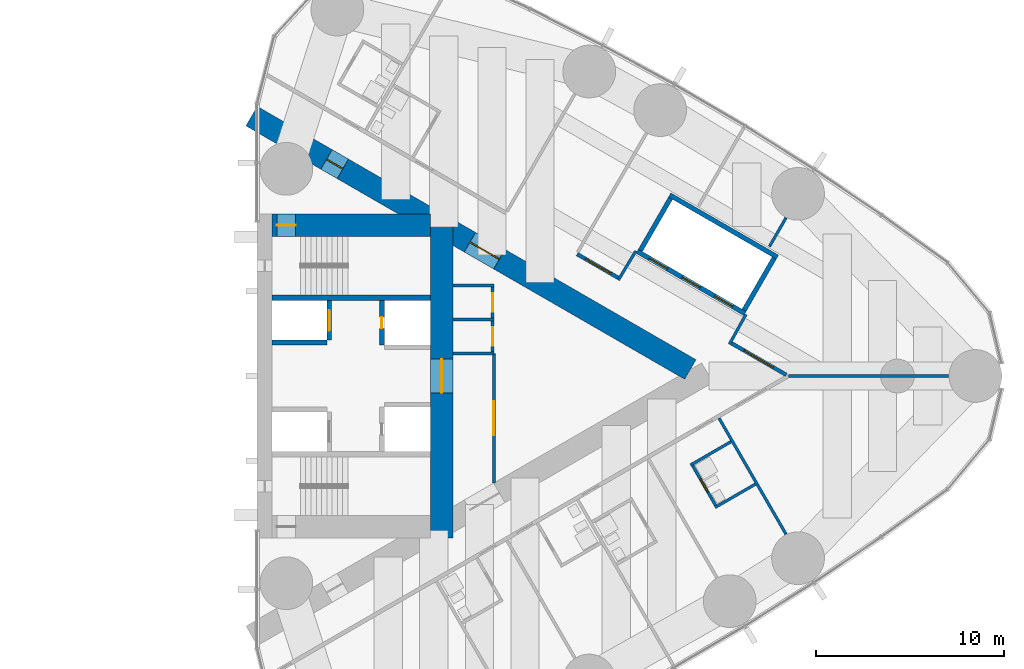
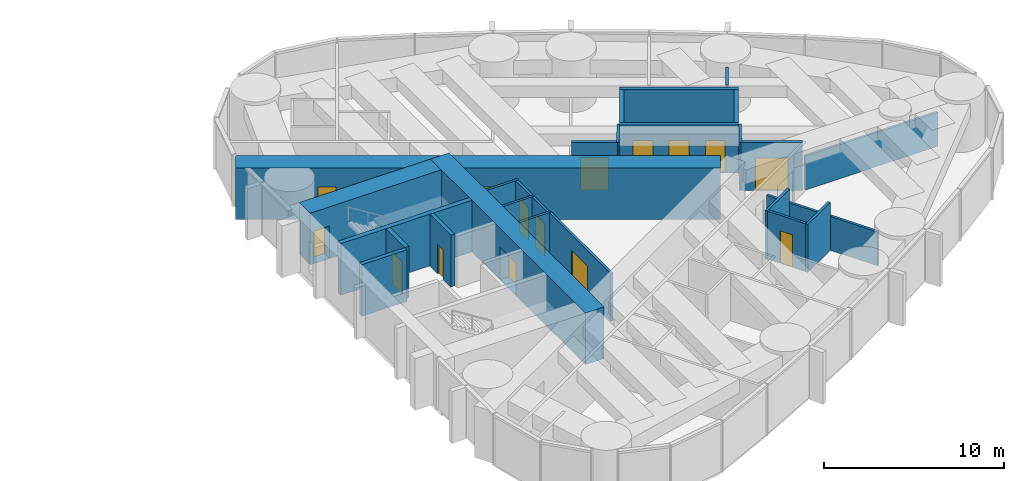
# One storey, part 15 of 19: 27 walls, 15 doors, 15 openings.
"""IFC4 building model written with IfcOpenShell, lengths in metres."""

from ifc_helpers import new_model, si_unit, direction, frame, frame_2d, origin, place, context, subcontext, project, spatial, rectangle, extrude, material, layer, layer_set, type_object, element, fill, save


model = new_model("IFC4")

# Units and contexts
model_context = context("Model", 3, precision=1e-05, world=origin(), true_north=direction((0.0, 1.0)))
body_context = subcontext(model_context, "Body", "Model", "MODEL_VIEW")
ifc_project = project(units=[si_unit("LENGTHUNIT", "METRE"), si_unit("AREAUNIT", "SQUARE_METRE"), si_unit("VOLUMEUNIT", "CUBIC_METRE"), si_unit("PLANEANGLEUNIT", "RADIAN"), si_unit("MASSUNIT", "GRAM", prefix="KILO")], contexts=[model_context])

# Site, building, storey
site_placement = place(None, origin())
site = spatial("IfcSite", under=ifc_project, at=site_placement, CompositionType="ELEMENT")
building_placement = place(site_placement, origin())
building = spatial("IfcBuilding", under=site, at=building_placement, Name="Lancet Gate Hotel", CompositionType="ELEMENT")
storey_placement = place(building_placement, frame((0.0, 0.0, 194.800048828125)))
storey = spatial("IfcBuildingStorey", under=building, at=storey_placement, Name="L52", CompositionType="ELEMENT", Elevation=194.800048828125)

# Wall
ifc_material_1 = material(Name="Moisture resistant board partition")
ifc_layer_1 = layer(ifc_material_1, 0.14990234375)
ifc_layer_set_1 = layer_set([ifc_layer_1], Name="Bathroom wall 150")
wall_type_1 = type_object("IfcWallType", Name="Bathroom wall 150", PredefinedType="PARTITIONING", material=ifc_layer_set_1)
wall_1_placement = place(storey_placement, frame((51.81689453125, -6.9775390625, 0.0), z_axis=(0.0, 0.0, 1.0), x_axis=(0.866006523861, 0.500032699561, 0.0)))
element("IfcWall", 1, at=wall_1_placement, inside=storey, type_object=wall_type_1, Name="T2 bathroom wall 150 L52", PredefinedType="PARTITIONING", context=body_context, shape_type="SweptSolid", body=[
    extrude(rectangle(XDim=2.474853515625, YDim=0.14990234375, at=frame_2d((1.2373046875, 0.0))), origin(), (0.0, 0.0, 1.0), 3.25),
])

# Wall, opening, door
wall_2_placement = place(storey_placement, frame((50.581787109375, -4.688232421875, 0.0), z_axis=(0.0, 0.0, 1.0), x_axis=(0.500006934395, -0.866021400173, 0.0)))
wall_2 = element("IfcWall", 2, at=wall_2_placement, inside=storey, type_object=wall_type_1, Name="T2 bathroom wall 150 L52", PredefinedType="PARTITIONING", context=body_context, shape_type="SweptSolid", body=[
    extrude(rectangle(XDim=2.60009765625, YDim=0.14990234375, at=frame_2d((1.300048828125, 0.0))), origin(), (0.0, 0.0, 1.0), 3.25),
])
opening_1_placement = place(wall_2_placement, frame((0.89990234375, 0.0, 0.0)))
opening_1 = element("IfcOpeningElement", 3, at=opening_1_placement, cuts=wall_2, Name="Opening 5256-B", PredefinedType="OPENING", context=body_context, shape_type="SweptSolid", body=[
    extrude(rectangle(XDim=0.800048828125, YDim=2.199951171875, at=frame_2d((0.39990234375, 1.10009765625))), frame((0.0, 0.0849609375, 0.0), z_axis=(0.0, -1.0, 0.0), x_axis=(1.0, 0.0, 0.0)), (0.0, 0.0, 1.0), 0.169921875),
])
ifc_material_2 = material(Name="Timber door set", Category="wood")
door_type_1 = type_object("IfcDoorType", Name="Bathroom door 800", OperationType="SINGLE_SWING_RIGHT", PredefinedType="DOOR", material=ifc_material_2)
door_1_placement = place(opening_1_placement, origin())
door_1 = element("IfcDoor", 4, at=door_1_placement, inside=storey, type_object=door_type_1, Name="5256-B", OperationType="SINGLE_SWING_RIGHT", OverallHeight=2.199951171875, OverallWidth=0.800048828125, PredefinedType="DOOR", context=body_context, shape_type="SweptSolid", body=[
    extrude(rectangle(XDim=0.800048828125, YDim=2.199951171875, at=frame_2d((0.39990234375, 1.10009765625))), frame((0.0, 0.02490234375, 0.0), z_axis=(0.0, -1.0, 0.0), x_axis=(1.0, 0.0, 0.0)), (0.0, 0.0, 1.0), 0.050048828125),
])
fill(opening_1, door_1)

# Wall
wall_3_placement = place(storey_placement, frame((50.516845703125, -4.725830078125, 0.0), z_axis=(0.0, 0.0, 1.0), x_axis=(0.866031185235, 0.4999899861, 0.0)))
element("IfcWall", 5, at=wall_3_placement, inside=storey, type_object=wall_type_1, Name="T2 bathroom wall 150 L52", PredefinedType="PARTITIONING", context=body_context, shape_type="SweptSolid", body=[
    extrude(rectangle(XDim=2.47509765625, YDim=0.14990234375, at=frame_2d((1.237548828125, 0.0))), origin(), (0.0, 0.0, 1.0), 3.25),
])

# Wall, openings, doors
ifc_material_3 = material(Name="Concrete C70/85", Category="concrete")
ifc_layer_2 = layer(ifc_material_3, 1.199951171875)
ifc_layer_set_2 = layer_set([ifc_layer_2], Name="Buttress wall 1200")
wall_type_2 = type_object("IfcWallType", Name="Buttress wall 1200", PredefinedType="SHEAR", material=ifc_layer_set_2)
wall_4_placement = place(storey_placement, frame((27.199951171875, 13.800048828125, 0.0), z_axis=(0.0, 0.0, 1.0), x_axis=(0.866024515034, -0.500001539357, 0.0)))
wall_4 = element("IfcWall", 6, at=wall_4_placement, inside=storey, type_object=wall_type_2, Name="T2 buttress wall N L52", PredefinedType="SHEAR", context=body_context, shape_type="SweptSolid", body=[
    extrude(rectangle(XDim=26.9072265625, YDim=1.199951171875, at=frame_2d((13.45361328125, 0.0))), origin(), (0.0, 0.0, 1.0), 3.5),
])
opening_2_placement = place(wall_4_placement, frame((4.60009765625, 0.0, 0.0)))
opening_2 = element("IfcOpeningElement", 7, at=opening_2_placement, cuts=wall_4, Name="Opening T2-L52-LN", PredefinedType="OPENING", context=body_context, shape_type="SweptSolid", body=[
    extrude(rectangle(XDim=1.0, YDim=2.199951171875, at=frame_2d((0.5, 1.10009765625))), frame((0.0, 0.60986328125, 0.0), z_axis=(0.0, -1.0, 0.0), x_axis=(1.0, 0.0, 0.0)), (0.0, 0.0, 1.0), 1.219970703125),
])
opening_3_placement = place(wall_4_placement, frame((13.39453125, 0.0, 0.0)))
opening_3 = element("IfcOpeningElement", 8, at=opening_3_placement, cuts=wall_4, Name="Opening T2-L52-LHN", PredefinedType="OPENING", context=body_context, shape_type="SweptSolid", body=[
    extrude(rectangle(XDim=1.800048828125, YDim=2.199951171875, at=frame_2d((0.89990234375, 1.10009765625))), frame((0.0, 0.60986328125, 0.0), z_axis=(0.0, -1.0, 0.0), x_axis=(1.0, 0.0, 0.0)), (0.0, 0.0, 1.0), 1.219970703125),
])
ifc_material_4 = material(Name="Timber door set", Category="wood")
door_type_2 = type_object("IfcDoorType", Name="Lobby double door 1800", OperationType="DOUBLE_DOOR_SINGLE_SWING", PredefinedType="DOOR", material=ifc_material_4)
door_2_placement = place(opening_3_placement, origin())
door_2 = element("IfcDoor", 9, at=door_2_placement, inside=storey, type_object=door_type_2, Name="T2-L52-LHN", OperationType="DOUBLE_DOOR_SINGLE_SWING", OverallHeight=2.199951171875, OverallWidth=1.800048828125, PredefinedType="DOOR", context=body_context, shape_type="SweptSolid", body=[
    extrude(rectangle(XDim=1.800048828125, YDim=2.199951171875, at=frame_2d((0.89990234375, 1.10009765625))), frame((0.0, 0.02490234375, 0.0), z_axis=(0.0, -1.0, 0.0), x_axis=(1.0, 0.0, 0.0)), (0.0, 0.0, 1.0), 0.050048828125),
])
fill(opening_3, door_2)
ifc_material_5 = material(Name="Timber door set", Category="wood")
door_type_3 = type_object("IfcDoorType", Name="Stair lobby door 1000", OperationType="SINGLE_SWING_LEFT", PredefinedType="DOOR", material=ifc_material_5)
door_3_placement = place(opening_2_placement, origin())
door_3 = element("IfcDoor", 10, at=door_3_placement, inside=storey, type_object=door_type_3, Name="T2-L52-LN", OperationType="SINGLE_SWING_LEFT", OverallHeight=2.199951171875, OverallWidth=1.0, PredefinedType="DOOR", context=body_context, shape_type="SweptSolid", body=[
    extrude(rectangle(XDim=1.0, YDim=2.199951171875, at=frame_2d((0.5, 1.10009765625))), frame((0.0, 0.02490234375, 0.0), z_axis=(0.0, -1.0, 0.0), x_axis=(1.0, 0.0, 0.0)), (0.0, 0.0, 1.0), 0.050048828125),
])
fill(opening_2, door_3)

# Wall, opening, door
ifc_material_6 = material(Name="Concrete C70/85", Category="concrete")
ifc_layer_3 = layer(ifc_material_6, 1.199951171875)
ifc_layer_set_3 = layer_set([ifc_layer_3], Name="Core wall 1200")
wall_type_3 = type_object("IfcWallType", Name="Core wall 1200", PredefinedType="SHEAR", material=ifc_layer_set_3)
wall_5_placement = place(storey_placement, frame((37.300048828125, -8.60009765625, 0.0), z_axis=(0.0, 0.0, 1.0), x_axis=(0.0, 1.0, 0.0)))
wall_5 = element("IfcWall", 11, at=wall_5_placement, inside=storey, type_object=wall_type_3, Name="T2 core wall back L52", PredefinedType="SHEAR", context=body_context, shape_type="SweptSolid", body=[
    extrude(rectangle(XDim=17.2001953125, YDim=1.199951171875, at=frame_2d((8.60009765625, 0.0))), origin(), (0.0, 0.0, 1.0), 3.5),
])
opening_4_placement = place(wall_5_placement, frame((7.699951171875, 0.0, 0.0)))
opening_4 = element("IfcOpeningElement", 12, at=opening_4_placement, cuts=wall_5, Name="Opening T2-L52-LL", PredefinedType="OPENING", context=body_context, shape_type="SweptSolid", body=[
    extrude(rectangle(XDim=1.800048828125, YDim=2.199951171875, at=frame_2d((0.89990234375, 1.10009765625))), frame((0.0, 0.60986328125, 0.0), z_axis=(0.0, -1.0, 0.0), x_axis=(1.0, 0.0, 0.0)), (0.0, 0.0, 1.0), 1.219970703125),
])
door_4_placement = place(opening_4_placement, origin())
door_4 = element("IfcDoor", 13, at=door_4_placement, inside=storey, type_object=door_type_2, Name="T2-L52-LL", OperationType="DOUBLE_DOOR_SINGLE_SWING", OverallHeight=2.199951171875, OverallWidth=1.800048828125, PredefinedType="DOOR", context=body_context, shape_type="SweptSolid", body=[
    extrude(rectangle(XDim=1.800048828125, YDim=2.199951171875, at=frame_2d((0.89990234375, 1.10009765625))), frame((0.0, 0.02490234375, 0.0), z_axis=(0.0, -1.0, 0.0), x_axis=(1.0, 0.0, 0.0)), (0.0, 0.0, 1.0), 0.050048828125),
])
fill(opening_4, door_4)

wall_6_placement = place(storey_placement, frame((28.300048828125, 8.0, 0.0), z_axis=(0.0, 0.0, 1.0), x_axis=(1.0, 0.0, 0.0)))
wall_6 = element("IfcWall", 14, at=wall_6_placement, inside=storey, type_object=wall_type_3, Name="T2 core wall side-N L52", PredefinedType="SHEAR", context=body_context, shape_type="SweptSolid", body=[
    extrude(rectangle(XDim=8.39990234375, YDim=1.199951171875, at=frame_2d((4.199951171875, 0.0))), origin(), (0.0, 0.0, 1.0), 3.5),
])
opening_5_placement = place(wall_6_placement, frame((0.25, 0.0, 0.0)))
opening_5 = element("IfcOpeningElement", 15, at=opening_5_placement, cuts=wall_6, Name="Opening T2-L52-ST2", PredefinedType="OPENING", context=body_context, shape_type="SweptSolid", body=[
    extrude(rectangle(XDim=1.0, YDim=2.199951171875, at=frame_2d((0.5, 1.10009765625))), frame((0.0, 0.60986328125, 0.0), z_axis=(0.0, -1.0, 0.0), x_axis=(1.0, 0.0, 0.0)), (0.0, 0.0, 1.0), 1.219970703125),
])
ifc_material_7 = material(Name="Timber door set", Category="wood")
door_type_4 = type_object("IfcDoorType", Name="Stair door 1000", OperationType="SINGLE_SWING_RIGHT", PredefinedType="DOOR", material=ifc_material_7)
door_5_placement = place(opening_5_placement, origin())
door_5 = element("IfcDoor", 16, at=door_5_placement, inside=storey, type_object=door_type_4, Name="T2-L52-ST2", OperationType="SINGLE_SWING_RIGHT", OverallHeight=2.199951171875, OverallWidth=1.0, PredefinedType="DOOR", context=body_context, shape_type="SweptSolid", body=[
    extrude(rectangle(XDim=1.0, YDim=2.199951171875, at=frame_2d((0.5, 1.10009765625))), frame((0.0, 0.02490234375, 0.0), z_axis=(0.0, -1.0, 0.0), x_axis=(1.0, 0.0, 0.0)), (0.0, 0.0, 1.0), 0.050048828125),
])
fill(opening_5, door_5)

ifc_material_8 = material(Name="Gypsum board partition")
ifc_layer_4 = layer(ifc_material_8, 0.199951171875)
ifc_layer_set_4 = layer_set([ifc_layer_4], Name="Corridor wall 200")
wall_type_4 = type_object("IfcWallType", Name="Corridor wall 200", PredefinedType="PARTITIONING", material=ifc_layer_set_4)
wall_7_placement = place(storey_placement, frame((52.63916015625, 1.7685546875, 0.0), z_axis=(0.0, 0.0, 1.0), x_axis=(0.866027340901, -0.4999966448, 0.0)))
wall_7 = element("IfcWall", 17, at=wall_7_placement, inside=storey, type_object=wall_type_4, Name="T2 corridor wall 200 L52", PredefinedType="PARTITIONING", context=body_context, shape_type="SweptSolid", body=[
    extrude(rectangle(XDim=3.4169921875, YDim=0.199951171875, at=frame_2d((1.70849609375, 0.0))), origin(), (0.0, 0.0, 1.0), 3.25),
])
opening_6_placement = place(wall_7_placement, frame((0.80859375, 0.0, 0.0)))
opening_6 = element("IfcOpeningElement", 18, at=opening_6_placement, cuts=wall_7, Name="Opening T2-L52-LO1", PredefinedType="OPENING", context=body_context, shape_type="SweptSolid", body=[
    extrude(rectangle(XDim=1.800048828125, YDim=2.199951171875, at=frame_2d((0.89990234375, 1.10009765625))), frame((0.0, 0.10986328125, 0.0), z_axis=(0.0, -1.0, 0.0), x_axis=(1.0, 0.0, 0.0)), (0.0, 0.0, 1.0), 0.219970703125),
])
ifc_material_9 = material(Name="Timber door set", Category="wood")
door_type_5 = type_object("IfcDoorType", Name="Double door 1800", OperationType="DOUBLE_DOOR_SINGLE_SWING", PredefinedType="DOOR", material=ifc_material_9)
door_6_placement = place(opening_6_placement, origin())
door_6 = element("IfcDoor", 19, at=door_6_placement, inside=storey, type_object=door_type_5, Name="T2-L52-LO1", OperationType="DOUBLE_DOOR_SINGLE_SWING", OverallHeight=2.199951171875, OverallWidth=1.800048828125, PredefinedType="DOOR", context=body_context, shape_type="SweptSolid", body=[
    extrude(rectangle(XDim=1.800048828125, YDim=2.199951171875, at=frame_2d((0.89990234375, 1.10009765625))), frame((0.0, 0.02490234375, 0.0), z_axis=(0.0, -1.0, 0.0), x_axis=(1.0, 0.0, 0.0)), (0.0, 0.0, 1.0), 0.050048828125),
])
fill(opening_6, door_6)

wall_8_placement = place(storey_placement, frame((44.4931640625, 6.4716796875, 0.0), z_axis=(0.0, 0.0, 1.0), x_axis=(0.866027140358, -0.499996992154, 0.0)))
wall_8 = element("IfcWall", 20, at=wall_8_placement, inside=storey, type_object=wall_type_4, Name="T2 corridor wall 200 L52", PredefinedType="PARTITIONING", context=body_context, shape_type="SweptSolid", body=[
    extrude(rectangle(XDim=2.56591796875, YDim=0.199951171875, at=frame_2d((1.282958984375, 0.0))), origin(), (0.0, 0.0, 1.0), 3.25),
])
opening_7_placement = place(wall_8_placement, frame((0.5, 0.0, 0.0)))
opening_7 = element("IfcOpeningElement", 21, at=opening_7_placement, cuts=wall_8, Name="Opening T2-L52-LO2", PredefinedType="OPENING", context=body_context, shape_type="SweptSolid", body=[
    extrude(rectangle(XDim=1.56591796875, YDim=2.199951171875, at=frame_2d((0.782958984375, 1.10009765625))), frame((0.0, 0.10986328125, 0.0), z_axis=(0.0, -1.0, 0.0), x_axis=(1.0, 0.0, 0.0)), (0.0, 0.0, 1.0), 0.219970703125),
])
ifc_material_10 = material(Name="Timber door set", Category="wood")
door_type_6 = type_object("IfcDoorType", Name="Guest room entry door 950", OperationType="SINGLE_SWING_LEFT", PredefinedType="DOOR", material=ifc_material_10)
door_7_placement = place(opening_7_placement, origin())
door_7 = element("IfcDoor", 22, at=door_7_placement, inside=storey, type_object=door_type_6, Name="T2-L52-LO2", OperationType="SINGLE_SWING_LEFT", OverallHeight=2.199951171875, OverallWidth=1.56591796875, PredefinedType="DOOR", context=body_context, shape_type="SweptSolid", body=[
    extrude(rectangle(XDim=1.56591796875, YDim=2.199951171875, at=frame_2d((0.782958984375, 1.10009765625))), frame((0.0, 0.02490234375, 0.0), z_axis=(0.0, -1.0, 0.0), x_axis=(1.0, 0.0, 0.0)), (0.0, 0.0, 1.0), 0.050048828125),
])
fill(opening_7, door_7)

# Wall, openings, doors
ifc_material_11 = material(Name="Gypsum board partition")
ifc_layer_5 = layer(ifc_material_11, 0.25)
ifc_layer_set_5 = layer_set([ifc_layer_5], Name="Lift shaft partition 250")
wall_type_5 = type_object("IfcWallType", Name="Lift shaft partition 250", PredefinedType="PARTITIONING", material=ifc_layer_set_5)
wall_9_placement = place(storey_placement, frame((47.681396484375, 6.622314453125, 0.0), z_axis=(0.0, 0.0, 1.0), x_axis=(0.86603344179, -0.499986077507, 0.0)))
wall_9 = element("IfcWall", 23, at=wall_9_placement, inside=storey, type_object=wall_type_5, Name="T2 lift shaft wall HL L52", PredefinedType="PARTITIONING", context=body_context, shape_type="SweptSolid", body=[
    extrude(rectangle(XDim=6.600341796875, YDim=0.25, at=frame_2d((3.30029296875, 0.0))), origin(), (0.0, 0.0, 1.0), 3.25),
])
opening_8_placement = place(wall_9_placement, frame((0.75, 0.0, 0.0)))
opening_8 = element("IfcOpeningElement", 24, at=opening_8_placement, cuts=wall_9, Name="Opening T2-HL1-L52", PredefinedType="OPENING", context=body_context, shape_type="SweptSolid", body=[
    extrude(rectangle(XDim=1.10009765625, YDim=2.199951171875, at=frame_2d((0.550048828125, 1.10009765625))), frame((0.0, 0.135009765625, 0.0), z_axis=(0.0, -1.0, 0.0), x_axis=(1.0, 0.0, 0.0)), (0.0, 0.0, 1.0), 0.27001953125),
])
opening_9_placement = place(wall_9_placement, frame((2.75, 0.0, 0.0)))
opening_9 = element("IfcOpeningElement", 25, at=opening_9_placement, cuts=wall_9, Name="Opening T2-HL2-L52", PredefinedType="OPENING", context=body_context, shape_type="SweptSolid", body=[
    extrude(rectangle(XDim=1.10009765625, YDim=2.199951171875, at=frame_2d((0.550048828125, 1.10009765625))), frame((0.0, 0.135009765625, 0.0), z_axis=(0.0, -1.0, 0.0), x_axis=(1.0, 0.0, 0.0)), (0.0, 0.0, 1.0), 0.27001953125),
])
opening_10_placement = place(wall_9_placement, frame((4.75, 0.0, 0.0)))
opening_10 = element("IfcOpeningElement", 26, at=opening_10_placement, cuts=wall_9, Name="Opening T2-HL3-L52", PredefinedType="OPENING", context=body_context, shape_type="SweptSolid", body=[
    extrude(rectangle(XDim=1.10009765625, YDim=2.199951171875, at=frame_2d((0.550048828125, 1.10009765625))), frame((0.0, 0.135009765625, 0.0), z_axis=(0.0, -1.0, 0.0), x_axis=(1.0, 0.0, 0.0)), (0.0, 0.0, 1.0), 0.27001953125),
])
ifc_material_12 = material(Name="Steel door set", Category="steel")
door_type_7 = type_object("IfcDoorType", Name="Lift landing door 1100", OperationType="DOUBLE_DOOR_SLIDING", PredefinedType="USERDEFINED", material=ifc_material_12)
door_8_placement = place(opening_8_placement, origin())
door_8 = element("IfcDoor", 27, at=door_8_placement, inside=storey, type_object=door_type_7, Name="T2-HL1-L52", ObjectType="LIFT LANDING DOOR", OperationType="DOUBLE_DOOR_SLIDING", OverallHeight=2.199951171875, OverallWidth=1.10009765625, PredefinedType="USERDEFINED", context=body_context, shape_type="SweptSolid", body=[
    extrude(rectangle(XDim=1.10009765625, YDim=2.199951171875, at=frame_2d((0.550048828125, 1.10009765625))), frame((0.0, 0.02490234375, 0.0), z_axis=(0.0, -1.0, 0.0), x_axis=(1.0, 0.0, 0.0)), (0.0, 0.0, 1.0), 0.050048828125),
])
fill(opening_8, door_8)
door_9_placement = place(opening_9_placement, origin())
door_9 = element("IfcDoor", 28, at=door_9_placement, inside=storey, type_object=door_type_7, Name="T2-HL2-L52", ObjectType="LIFT LANDING DOOR", OperationType="DOUBLE_DOOR_SLIDING", OverallHeight=2.199951171875, OverallWidth=1.10009765625, PredefinedType="USERDEFINED", context=body_context, shape_type="SweptSolid", body=[
    extrude(rectangle(XDim=1.10009765625, YDim=2.199951171875, at=frame_2d((0.550048828125, 1.10009765625))), frame((0.0, 0.02490234375, 0.0), z_axis=(0.0, -1.0, 0.0), x_axis=(1.0, 0.0, 0.0)), (0.0, 0.0, 1.0), 0.050048828125),
])
fill(opening_9, door_9)
door_10_placement = place(opening_10_placement, origin())
door_10 = element("IfcDoor", 29, at=door_10_placement, inside=storey, type_object=door_type_7, Name="T2-HL3-L52", ObjectType="LIFT LANDING DOOR", OperationType="DOUBLE_DOOR_SLIDING", OverallHeight=2.199951171875, OverallWidth=1.10009765625, PredefinedType="USERDEFINED", context=body_context, shape_type="SweptSolid", body=[
    extrude(rectangle(XDim=1.10009765625, YDim=2.199951171875, at=frame_2d((0.550048828125, 1.10009765625))), frame((0.0, 0.02490234375, 0.0), z_axis=(0.0, -1.0, 0.0), x_axis=(1.0, 0.0, 0.0)), (0.0, 0.0, 1.0), 0.050048828125),
])
fill(opening_10, door_10)

# Walls
wall_10_placement = place(storey_placement, frame((49.406494140625, 9.61083984375, 0.0), z_axis=(0.0, 0.0, 1.0), x_axis=(0.86603344179, -0.499986077507, 0.0)))
element("IfcWall", 30, at=wall_10_placement, inside=storey, type_object=wall_type_5, Name="T2 lift shaft wall HL L52", PredefinedType="PARTITIONING", context=body_context, shape_type="SweptSolid", body=[
    extrude(rectangle(XDim=6.600341796875, YDim=0.25, at=frame_2d((3.30029296875, 0.0))), origin(), (0.0, 0.0, 1.0), 3.25),
])
wall_11_placement = place(storey_placement, frame((47.852294921875, 6.66796875, 0.0), z_axis=(0.0, 0.0, 1.0), x_axis=(0.499929347863, 0.866066190972, 0.0)))
element("IfcWall", 31, at=wall_11_placement, inside=storey, type_object=wall_type_5, Name="T2 lift shaft wall HL L52", PredefinedType="PARTITIONING", context=body_context, shape_type="SweptSolid", body=[
    extrude(rectangle(XDim=3.20068359375, YDim=0.25, at=frame_2d((1.600341796875, 0.0))), origin(), (0.0, 0.0, 1.0), 3.25),
])
wall_12_placement = place(storey_placement, frame((53.351806640625, 3.492919921875, 0.0), z_axis=(0.0, 0.0, 1.0), x_axis=(0.499872130319, 0.866099216793, 0.0)))
element("IfcWall", 32, at=wall_12_placement, inside=storey, type_object=wall_type_5, Name="T2 lift shaft wall HL L52", PredefinedType="PARTITIONING", context=body_context, shape_type="SweptSolid", body=[
    extrude(rectangle(XDim=3.200439453125, YDim=0.25, at=frame_2d((1.60009765625, 0.0))), origin(), (0.0, 0.0, 1.0), 3.25),
])

# Wall, opening, door
ifc_material_13 = material(Name="Concrete C50/60", Category="concrete")
ifc_layer_6 = layer(ifc_material_13, 0.25)
ifc_layer_set_6 = layer_set([ifc_layer_6], Name="Lift shaft wall 250")
wall_type_6 = type_object("IfcWallType", Name="Lift shaft wall 250", PredefinedType="SHEAR", material=ifc_layer_set_6)
wall_13_placement = place(storey_placement, frame((31.324951171875, 1.89990234375, 0.0), z_axis=(0.0, 0.0, 1.0), x_axis=(0.0, 1.0, 0.0)))
wall_13 = element("IfcWall", 33, at=wall_13_placement, inside=storey, type_object=wall_type_6, Name="T2 core wall row1-N L52", PredefinedType="SHEAR", context=body_context, shape_type="SweptSolid", body=[
    extrude(rectangle(XDim=2.10009765625, YDim=0.25, at=frame_2d((1.050048828125, 0.0))), origin(), (0.0, 0.0, 1.0), 3.5),
])
opening_11_placement = place(wall_13_placement, frame((0.5, 0.0, 0.0)))
opening_11 = element("IfcOpeningElement", 34, at=opening_11_placement, cuts=wall_13, Name="Opening T2-FL2-L52", PredefinedType="OPENING", context=body_context, shape_type="SweptSolid", body=[
    extrude(rectangle(XDim=1.10009765625, YDim=2.199951171875, at=frame_2d((0.550048828125, 1.10009765625))), frame((0.0, 0.135009765625, 0.0), z_axis=(0.0, -1.0, 0.0), x_axis=(1.0, 0.0, 0.0)), (0.0, 0.0, 1.0), 0.27001953125),
])
ifc_material_14 = material(Name="Steel door set", Category="steel")
door_type_8 = type_object("IfcDoorType", Name="Firefighting lift landing door 1100", OperationType="SLIDING_TO_LEFT", PredefinedType="USERDEFINED", material=ifc_material_14)
door_11_placement = place(opening_11_placement, origin())
door_11 = element("IfcDoor", 35, at=door_11_placement, inside=storey, type_object=door_type_8, Name="T2-FL2-L52", ObjectType="LIFT LANDING DOOR", OperationType="SLIDING_TO_LEFT", OverallHeight=2.199951171875, OverallWidth=1.10009765625, PredefinedType="USERDEFINED", context=body_context, shape_type="SweptSolid", body=[
    extrude(rectangle(XDim=1.10009765625, YDim=2.199951171875, at=frame_2d((0.550048828125, 1.10009765625))), frame((0.0, 0.02490234375, 0.0), z_axis=(0.0, -1.0, 0.0), x_axis=(1.0, 0.0, 0.0)), (0.0, 0.0, 1.0), 0.050048828125),
])
fill(opening_11, door_11)

wall_14_placement = place(storey_placement, frame((34.125, 1.64990234375, 0.0), z_axis=(0.0, 0.0, 1.0), x_axis=(0.0, 1.0, 0.0)))
wall_14 = element("IfcWall", 36, at=wall_14_placement, inside=storey, type_object=wall_type_6, Name="T2 core wall row2-N L52", PredefinedType="SHEAR", context=body_context, shape_type="SweptSolid", body=[
    extrude(rectangle(XDim=2.35009765625, YDim=0.25, at=frame_2d((1.175048828125, 0.0))), origin(), (0.0, 0.0, 1.0), 3.5),
])
opening_12_placement = place(wall_14_placement, frame((0.875, 0.0, 0.0)))
opening_12 = element("IfcOpeningElement", 37, at=opening_12_placement, cuts=wall_14, Name="Opening T2-OL4-L52-E", PredefinedType="OPENING", context=body_context, shape_type="SweptSolid", body=[
    extrude(rectangle(XDim=0.60009765625, YDim=2.0, at=frame_2d((0.300048828125, 1.0))), frame((0.0, 0.135009765625, 0.0), z_axis=(0.0, -1.0, 0.0), x_axis=(1.0, 0.0, 0.0)), (0.0, 0.0, 1.0), 0.27001953125),
])
ifc_material_15 = material(Name="Steel door set", Category="steel")
door_type_9 = type_object("IfcDoorType", Name="Lift shaft emergency door 600x2000", OperationType="SLIDING_TO_LEFT", PredefinedType="DOOR", material=ifc_material_15)
door_12_placement = place(opening_12_placement, origin())
door_12 = element("IfcDoor", 38, at=door_12_placement, inside=storey, type_object=door_type_9, Name="T2-OL4-L52-E", OperationType="SLIDING_TO_LEFT", OverallHeight=2.0, OverallWidth=0.60009765625, PredefinedType="DOOR", context=body_context, shape_type="SweptSolid", body=[
    extrude(rectangle(XDim=0.60009765625, YDim=2.0, at=frame_2d((0.300048828125, 1.0))), frame((0.0, 0.02490234375, 0.0), z_axis=(0.0, -1.0, 0.0), x_axis=(1.0, 0.0, 0.0)), (0.0, 0.0, 1.0), 0.050048828125),
])
fill(opening_12, door_12)

# Walls
wall_15_placement = place(storey_placement, frame((28.300048828125, 1.77490234375, 0.0), z_axis=(0.0, 0.0, 1.0), x_axis=(1.0, 0.0, 0.0)))
element("IfcWall", 39, at=wall_15_placement, inside=storey, type_object=wall_type_6, Name="T2 core wall pass1-N L52", PredefinedType="SHEAR", context=body_context, shape_type="SweptSolid", body=[
    extrude(rectangle(XDim=2.89990234375, YDim=0.25, at=frame_2d((1.449951171875, 0.0))), origin(), (0.0, 0.0, 1.0), 3.5),
])
ifc_material_16 = material(Name="Gypsum board partition")
ifc_layer_7 = layer(ifc_material_16, 0.14990234375)
ifc_layer_set_7 = layer_set([ifc_layer_7], Name="Party wall 150")
wall_type_7 = type_object("IfcWallType", Name="Party wall 150", PredefinedType="PARTITIONING", material=ifc_layer_set_7)
wall_16_placement = place(storey_placement, frame((52.025390625, -2.23828125, 0.0), z_axis=(0.0, 0.0, 1.0), x_axis=(0.499983785035, -0.866034765296, 0.0)))
element("IfcWall", 40, at=wall_16_placement, inside=storey, type_object=wall_type_7, Name="T2 party wall 150 L52", PredefinedType="PARTITIONING", context=body_context, shape_type="SweptSolid", body=[
    extrude(rectangle(XDim=7.116455078125, YDim=0.14990234375, at=frame_2d((3.55810546875, 0.0))), origin(), (0.0, 0.0, 1.0), 2.300048828125),
])
wall_17_placement = place(storey_placement, frame((55.7021484375, 0.0, 0.0), z_axis=(0.0, 0.0, 1.0), x_axis=(1.0, 0.0, 0.0)))
element("IfcWall", 41, at=wall_17_placement, inside=storey, type_object=wall_type_7, Name="T2 party wall 150 L52", PredefinedType="PARTITIONING", context=body_context, shape_type="SweptSolid", body=[
    extrude(rectangle(XDim=8.517578125, YDim=0.14990234375, at=frame_2d((4.2587890625, 0.0))), origin(), (0.0, 0.0, 1.0), 2.300048828125),
])
wall_18_placement = place(storey_placement, frame((54.700439453125, 6.871826171875, 0.0), z_axis=(0.0, 0.0, 1.0), x_axis=(0.499989690894, 0.866031355668, 0.0)))
element("IfcWall", 42, at=wall_18_placement, inside=storey, type_object=wall_type_7, Name="T2 party wall 150 L52", PredefinedType="PARTITIONING", context=body_context, shape_type="SweptSolid", body=[
    extrude(rectangle(XDim=1.76611328125, YDim=0.14990234375, at=frame_2d((0.883056640625, 0.0))), origin(), (0.0, 0.0, 1.0), 3.25),
])
ifc_material_17 = material(Name="Gypsum board partition")
ifc_layer_8 = layer(ifc_material_17, 0.14990234375)
ifc_layer_set_8 = layer_set([ifc_layer_8], Name="Service room wall 150")
wall_type_8 = type_object("IfcWallType", Name="Service room wall 150", PredefinedType="PARTITIONING", material=ifc_layer_set_8)
for number, where, z_axis, x_axis, name in (
    (43, (52.576171875, 1.689453125, 0.0), (0.0, 0.0, 1.0), (0.485482130951, 0.874246590229, 0.0), "T2 service room wall 150 L52"),
    (44, (47.6064453125, 6.642578125, 0.0), (0.0, 0.0, 1.0), (-0.514237157483, -0.857648031458, 0.0), "T2 service room wall 150 L52"),
):
    element("IfcWall", number, at=place(storey_placement, frame(where, z_axis=z_axis, x_axis=x_axis)), inside=storey, type_object=wall_type_8, Name=name, PredefinedType="PARTITIONING", context=body_context, shape_type="SweptSolid", body=[
        extrude(rectangle(XDim=1.804931640625, YDim=0.14990234375, at=frame_2d((0.90234375, 0.0))), origin(), (0.0, 0.0, 1.0), 3.25),
    ])
for number, where, z_axis, x_axis, name in (
    (45, (37.89990234375, 1.199951171875, 0.0), (0.0, 0.0, 1.0), (1.0, 0.0, 0.0), "T2 service room wall 150 L52"),
    (46, (37.89990234375, 3.0, 0.0), (0.0, 0.0, 1.0), (1.0, 0.0, 0.0), "T2 service room wall 150 L52"),
    (47, (37.89990234375, 4.800048828125, 0.0), (0.0, 0.0, 1.0), (1.0, 0.0, 0.0), "T2 service room wall 150 L52"),
):
    element("IfcWall", number, at=place(storey_placement, frame(where, z_axis=z_axis, x_axis=x_axis)), inside=storey, type_object=wall_type_8, Name=name, PredefinedType="PARTITIONING", context=body_context, shape_type="SweptSolid", body=[
        extrude(rectangle(XDim=2.175048828125, YDim=0.14990234375, at=frame_2d((1.08740234375, 0.0))), origin(), (0.0, 0.0, 1.0), 3.25),
    ])

# Wall, opening, door
wall_19_placement = place(storey_placement, frame((40.0, 1.125, 0.0), z_axis=(0.0, 0.0, 1.0), x_axis=(0.0, 1.0, 0.0)))
wall_19 = element("IfcWall", 48, at=wall_19_placement, inside=storey, type_object=wall_type_8, Name="T2 service room wall 150 L52", PredefinedType="PARTITIONING", context=body_context, shape_type="SweptSolid", body=[
    extrude(rectangle(XDim=1.949951171875, YDim=0.14990234375, at=frame_2d((0.97509765625, 0.0))), origin(), (0.0, 0.0, 1.0), 3.25),
])
opening_13_placement = place(wall_19_placement, frame((0.47509765625, 0.0, 0.0)))
opening_13 = element("IfcOpeningElement", 49, at=opening_13_placement, cuts=wall_19, Name="Opening T2-L52-HRN0", PredefinedType="OPENING", context=body_context, shape_type="SweptSolid", body=[
    extrude(rectangle(XDim=1.0, YDim=2.199951171875, at=frame_2d((0.5, 1.10009765625))), frame((0.0, 0.0849609375, 0.0), z_axis=(0.0, -1.0, 0.0), x_axis=(1.0, 0.0, 0.0)), (0.0, 0.0, 1.0), 0.169921875),
])
ifc_material_18 = material(Name="Timber door set", Category="wood")
door_type_10 = type_object("IfcDoorType", Name="Service door 1000", OperationType="SINGLE_SWING_LEFT", PredefinedType="DOOR", material=ifc_material_18)
door_13_placement = place(opening_13_placement, origin())
door_13 = element("IfcDoor", 50, at=door_13_placement, inside=storey, type_object=door_type_10, Name="T2-L52-HRN0", OperationType="SINGLE_SWING_LEFT", OverallHeight=2.199951171875, OverallWidth=1.0, PredefinedType="DOOR", context=body_context, shape_type="SweptSolid", body=[
    extrude(rectangle(XDim=1.0, YDim=2.199951171875, at=frame_2d((0.5, 1.10009765625))), frame((0.0, 0.02490234375, 0.0), z_axis=(0.0, -1.0, 0.0), x_axis=(1.0, 0.0, 0.0)), (0.0, 0.0, 1.0), 0.050048828125),
])
fill(opening_13, door_13)

wall_20_placement = place(storey_placement, frame((40.0, 2.925048828125, 0.0), z_axis=(0.0, 0.0, 1.0), x_axis=(0.0, 1.0, 0.0)))
wall_20 = element("IfcWall", 51, at=wall_20_placement, inside=storey, type_object=wall_type_8, Name="T2 service room wall 150 L52", PredefinedType="PARTITIONING", context=body_context, shape_type="SweptSolid", body=[
    extrude(rectangle(XDim=1.949951171875, YDim=0.14990234375, at=frame_2d((0.97509765625, 0.0))), origin(), (0.0, 0.0, 1.0), 3.25),
])
opening_14_placement = place(wall_20_placement, frame((0.47509765625, 0.0, 0.0)))
opening_14 = element("IfcOpeningElement", 52, at=opening_14_placement, cuts=wall_20, Name="Opening T2-L52-HRN1", PredefinedType="OPENING", context=body_context, shape_type="SweptSolid", body=[
    extrude(rectangle(XDim=1.0, YDim=2.199951171875, at=frame_2d((0.5, 1.10009765625))), frame((0.0, 0.0849609375, 0.0), z_axis=(0.0, -1.0, 0.0), x_axis=(1.0, 0.0, 0.0)), (0.0, 0.0, 1.0), 0.169921875),
])
door_14_placement = place(opening_14_placement, origin())
door_14 = element("IfcDoor", 53, at=door_14_placement, inside=storey, type_object=door_type_10, Name="T2-L52-HRN1", OperationType="SINGLE_SWING_LEFT", OverallHeight=2.199951171875, OverallWidth=1.0, PredefinedType="DOOR", context=body_context, shape_type="SweptSolid", body=[
    extrude(rectangle(XDim=1.0, YDim=2.199951171875, at=frame_2d((0.5, 1.10009765625))), frame((0.0, 0.02490234375, 0.0), z_axis=(0.0, -1.0, 0.0), x_axis=(1.0, 0.0, 0.0)), (0.0, 0.0, 1.0), 0.050048828125),
])
fill(opening_14, door_14)

wall_21_placement = place(storey_placement, frame((40.074951171875, -5.673828125, 0.0), z_axis=(0.0, 0.0, 1.0), x_axis=(0.0, 1.0, 0.0)))
wall_21 = element("IfcWall", 54, at=wall_21_placement, inside=storey, type_object=wall_type_8, Name="T2 service room wall 150 L52", PredefinedType="PARTITIONING", context=body_context, shape_type="SweptSolid", body=[
    extrude(rectangle(XDim=6.873779296875, YDim=0.14990234375, at=frame_2d((3.43701171875, 0.0))), origin(), (0.0, 0.0, 1.0), 3.25),
])
opening_15_placement = place(wall_21_placement, frame((2.536865234375, 0.0, 0.0)))
opening_15 = element("IfcOpeningElement", 55, at=opening_15_placement, cuts=wall_21, Name="Opening T2-L52-LH", PredefinedType="OPENING", context=body_context, shape_type="SweptSolid", body=[
    extrude(rectangle(XDim=1.800048828125, YDim=2.199951171875, at=frame_2d((0.89990234375, 1.10009765625))), frame((0.0, 0.0849609375, 0.0), z_axis=(0.0, -1.0, 0.0), x_axis=(1.0, 0.0, 0.0)), (0.0, 0.0, 1.0), 0.169921875),
])
door_15_placement = place(opening_15_placement, origin())
door_15 = element("IfcDoor", 56, at=door_15_placement, inside=storey, type_object=door_type_2, Name="T2-L52-LH", OperationType="DOUBLE_DOOR_SINGLE_SWING", OverallHeight=2.199951171875, OverallWidth=1.800048828125, PredefinedType="DOOR", context=body_context, shape_type="SweptSolid", body=[
    extrude(rectangle(XDim=1.800048828125, YDim=2.199951171875, at=frame_2d((0.89990234375, 1.10009765625))), frame((0.0, 0.02490234375, 0.0), z_axis=(0.0, -1.0, 0.0), x_axis=(1.0, 0.0, 0.0)), (0.0, 0.0, 1.0), 0.050048828125),
])
fill(opening_15, door_15)

# Wall
ifc_material_19 = material(Name="Concrete C50/60", Category="concrete")
ifc_layer_9 = layer(ifc_material_19, 0.300048828125)
ifc_layer_set_9 = layer_set([ifc_layer_9], Name="Stair enclosure wall 300")
wall_type_9 = type_object("IfcWallType", Name="Stair enclosure wall 300", PredefinedType="SHEAR", material=ifc_layer_set_9)
wall_22_placement = place(storey_placement, frame((28.300048828125, 4.14990234375, 0.0), z_axis=(0.0, 0.0, 1.0), x_axis=(1.0, 0.0, 0.0)))
element("IfcWall", 57, at=wall_22_placement, inside=storey, type_object=wall_type_9, Name="T2 core wall stair-N L52", PredefinedType="SHEAR", context=body_context, shape_type="SweptSolid", body=[
    extrude(rectangle(XDim=8.39990234375, YDim=0.300048828125, at=frame_2d((4.199951171875, 0.0))), origin(), (0.0, 0.0, 1.0), 3.5),
])

save(model, "model.ifc")
